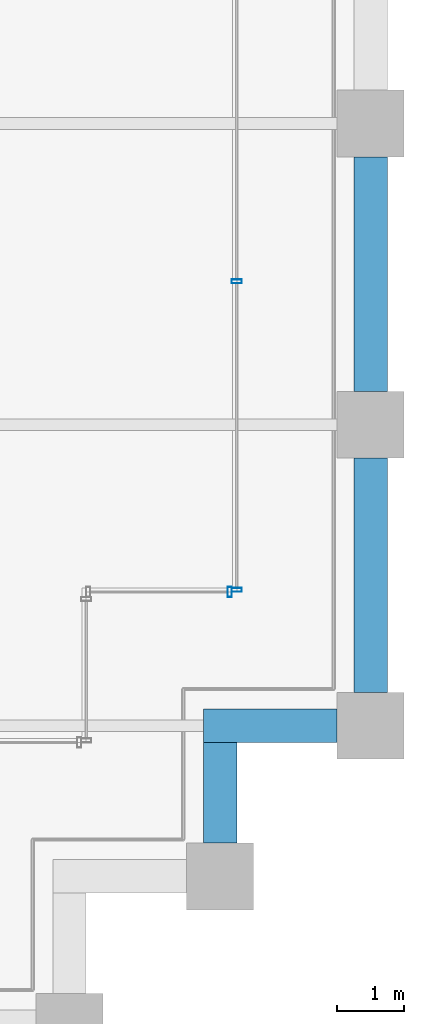
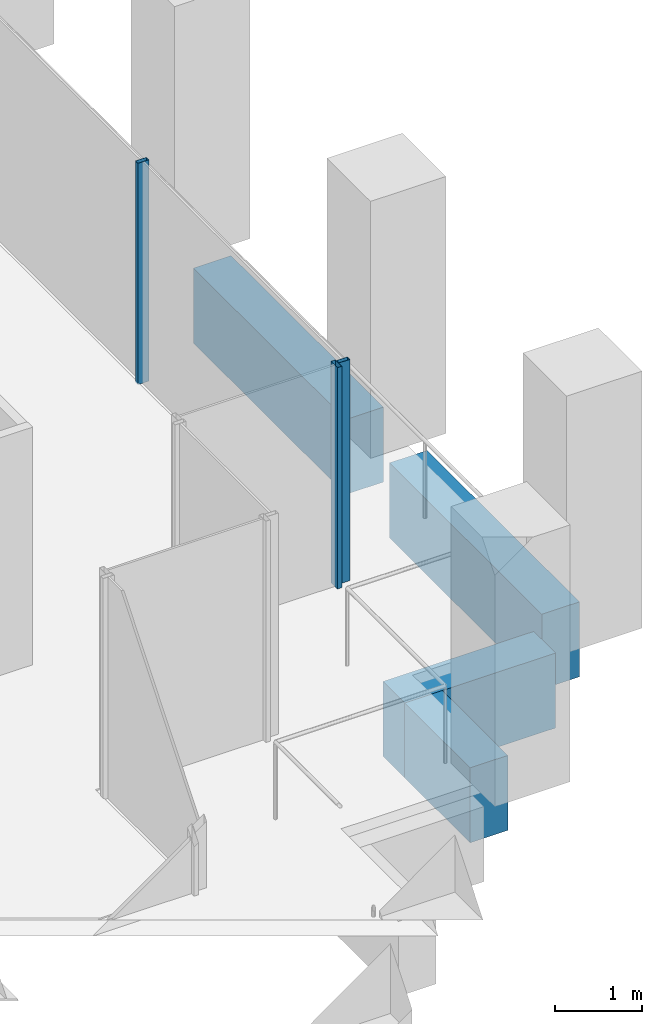
# One storey, part 37 of 45: 4 beams, 3 members, 2 elements without a shape of their own.
"""IFC4 building model written with IfcOpenShell, lengths in metres."""

from ifc_helpers import new_model, si_unit, direction, frame, origin, origin_2d, place, context, subcontext, project, spatial, rectangle, hollow_rectangle, extrude, material, material_profile, profile_set, type_object, element, aggregate, save


model = new_model("IFC4")

# Units and contexts
model_context = context("Model", 3, precision=1e-05, world=origin(), true_north=direction((0.0, 1.0)))
body_context = subcontext(model_context, "Body", "Model", "MODEL_VIEW")
ifc_project = project(units=[si_unit("LENGTHUNIT", "METRE"), si_unit("AREAUNIT", "SQUARE_METRE"), si_unit("VOLUMEUNIT", "CUBIC_METRE"), si_unit("PLANEANGLEUNIT", "RADIAN"), si_unit("MASSUNIT", "GRAM", prefix="KILO")], contexts=[model_context])

# Site, building, storey
site_placement = place(None, origin())
site = spatial("IfcSite", under=ifc_project, at=site_placement, CompositionType="ELEMENT")
building_placement = place(site_placement, origin())
building = spatial("IfcBuilding", under=site, at=building_placement, Name="Altepetl Exchange Towers", CompositionType="ELEMENT")
storey_placement = place(building_placement, frame((0.0, 0.0, 110.0)))
storey = spatial("IfcBuildingStorey", under=building, at=storey_placement, Name="L27", CompositionType="ELEMENT", Elevation=110.0)

# Curtain wall, member
ifc_material_1 = material(Name="Aluminium 6063-T6 glazing", Category="aluminium")
curtain_wall_type = type_object("IfcCurtainWallType", Name="Loggia glazing system", PredefinedType="NOTDEFINED", material=ifc_material_1)
curtain_wall_1_placement = place(storey_placement, origin())
curtain_wall_1 = element("IfcCurtainWall", 1, at=curtain_wall_1_placement, inside=storey, type_object=curtain_wall_type, Name="CW1 run", PredefinedType="NOTDEFINED")
ifc_material_2 = material(Name="Aluminium 6063-T6", Category="aluminium")
ifc_material_profile_1 = material_profile(ifc_material_2, hollow_rectangle(XDim=0.06005859375, YDim=0.14990234375, WallThickness=0.0029296875, at=origin_2d()), Name="Mullion 60x150 aluminium")
ifc_profile_set_1 = profile_set([ifc_material_profile_1], Name="Aluminium 6063-T6")
member_type = type_object("IfcMemberType", Name="Mullion 60x150 aluminium", PredefinedType="MULLION", material=ifc_profile_set_1)
member_1_placement = place(storey_placement, frame((123.89501953125, 33.5, 0.0)))
member_1 = element("IfcMember", 2, at=member_1_placement, type_object=member_type, Name="MU1 mullion", PredefinedType="MULLION", context=body_context, shape_type="SweptSolid", body=[
    extrude(hollow_rectangle(XDim=0.06005859375, YDim=0.14990234375, WallThickness=0.0029296875, at=origin_2d()), origin(), (0.0, 0.0, 1.0), 3.10009765625),
])
aggregate(curtain_wall_1, [member_1])

# Curtain wall, members
curtain_wall_2_placement = place(storey_placement, origin())
curtain_wall_2 = element("IfcCurtainWall", 3, at=curtain_wall_2_placement, inside=storey, type_object=curtain_wall_type, Name="CW1 run", PredefinedType="NOTDEFINED")
member_2_placement = place(storey_placement, frame((124.0, 33.530029296875, 0.0), z_axis=(0.0, 0.0, 1.0), x_axis=(0.0, 1.0, 0.0)))
member_2 = element("IfcMember", 4, at=member_2_placement, type_object=member_type, Name="MU1 mullion", PredefinedType="MULLION", context=body_context, shape_type="SweptSolid", body=[
    extrude(hollow_rectangle(XDim=0.06005859375, YDim=0.14990234375, WallThickness=0.0029296875, at=origin_2d()), origin(), (0.0, 0.0, 1.0), 3.10009765625),
])
member_3_placement = place(storey_placement, frame((124.0, 38.1416015625, 0.0), z_axis=(0.0, 0.0, 1.0), x_axis=(0.0, 1.0, 0.0)))
member_3 = element("IfcMember", 5, at=member_3_placement, type_object=member_type, Name="MU1 mullion", PredefinedType="MULLION", context=body_context, shape_type="SweptSolid", body=[
    extrude(hollow_rectangle(XDim=0.06005859375, YDim=0.14990234375, WallThickness=0.0029296875, at=origin_2d()), origin(), (0.0, 0.0, 1.0), 3.10009765625),
])
aggregate(curtain_wall_2, [member_2, member_3])

# Beams
ifc_material_3 = material(Name="Concrete C50/60 precast with cantera blanca facing", Category="concrete")
ifc_material_profile_2 = material_profile(ifc_material_3, rectangle(XDim=0.5, YDim=1.050048828125, at=origin_2d()), Name="500 x 1050")
ifc_profile_set_2 = profile_set([ifc_material_profile_2], Name="Concrete C50/60 precast with cantera blanca facing")
beam_type = type_object("IfcBeamType", Name="Spandrel beam 500x1050 cantera blanca", PredefinedType="SPANDREL", material=ifc_profile_set_2)
beam_1_placement = place(storey_placement, frame((123.75, 29.75, -0.675048828125), z_axis=(0.0, 1.0, 0.0), x_axis=(-1.0, 0.0, 0.0)))
element("IfcBeam", 6, at=beam_1_placement, inside=storey, type_object=beam_type, Name="sp:B:L27:007", PredefinedType="SPANDREL", context=body_context, shape_type="SweptSolid", body=[
    extrude(rectangle(XDim=0.5, YDim=1.050048828125, at=origin_2d()), origin(), (0.0, 0.0, 1.0), 1.5),
])
beam_2_placement = place(storey_placement, frame((123.5, 31.5, -0.675048828125), z_axis=(1.0, 0.0, 0.0), x_axis=(0.0, 1.0, 0.0)))
element("IfcBeam", 7, at=beam_2_placement, inside=storey, type_object=beam_type, Name="sp:B:L27:008", PredefinedType="SPANDREL", context=body_context, shape_type="SweptSolid", body=[
    extrude(rectangle(XDim=0.5, YDim=1.050048828125, at=origin_2d()), origin(), (0.0, 0.0, 1.0), 2.0),
])
for number, where, z_axis, x_axis, name in (
    (8, (126.0, 32.0, -0.675048828125), (0.0, 1.0, 0.0), (-1.0, 0.0, 0.0), "sp:B:L27:009"),
    (9, (126.0, 36.5, -0.675048828125), (0.0, 1.0, 0.0), (-1.0, 0.0, 0.0), "sp:B:L27:010"),
):
    element("IfcBeam", number, at=place(storey_placement, frame(where, z_axis=z_axis, x_axis=x_axis)), inside=storey, type_object=beam_type, Name=name, PredefinedType="SPANDREL", context=body_context, shape_type="SweptSolid", body=[
        extrude(rectangle(XDim=0.5, YDim=1.050048828125, at=origin_2d()), origin(), (0.0, 0.0, 1.0), 3.5),
    ])

save(model, "model.ifc")
